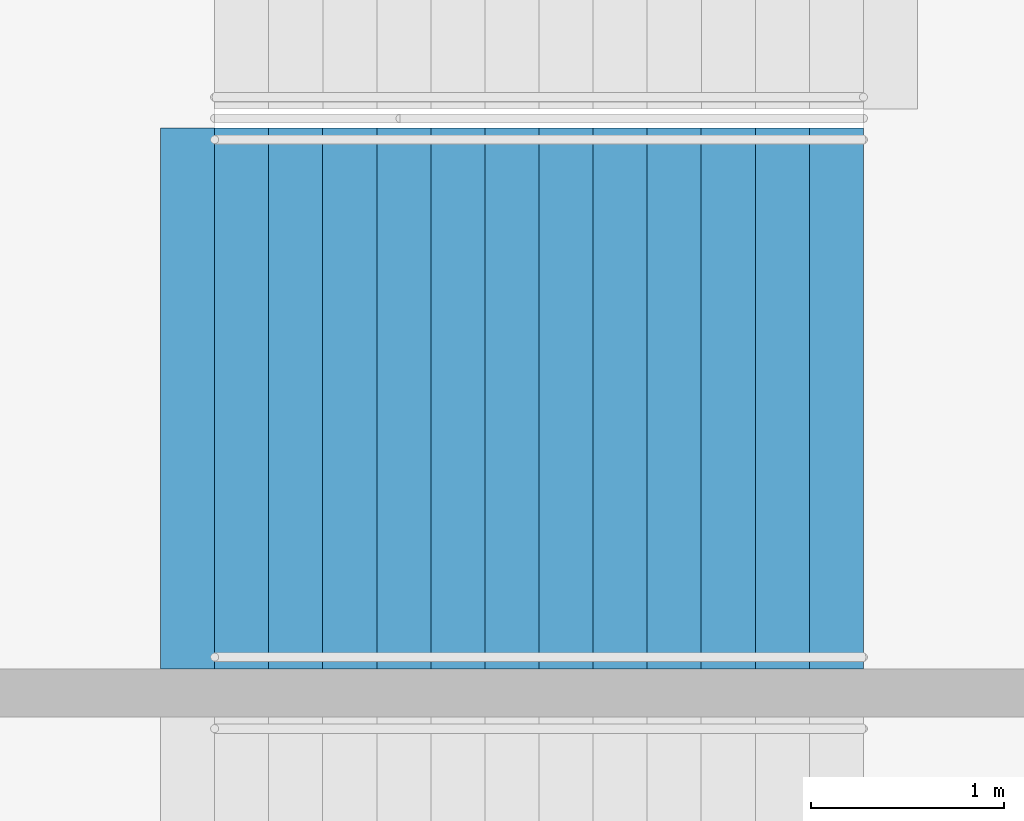
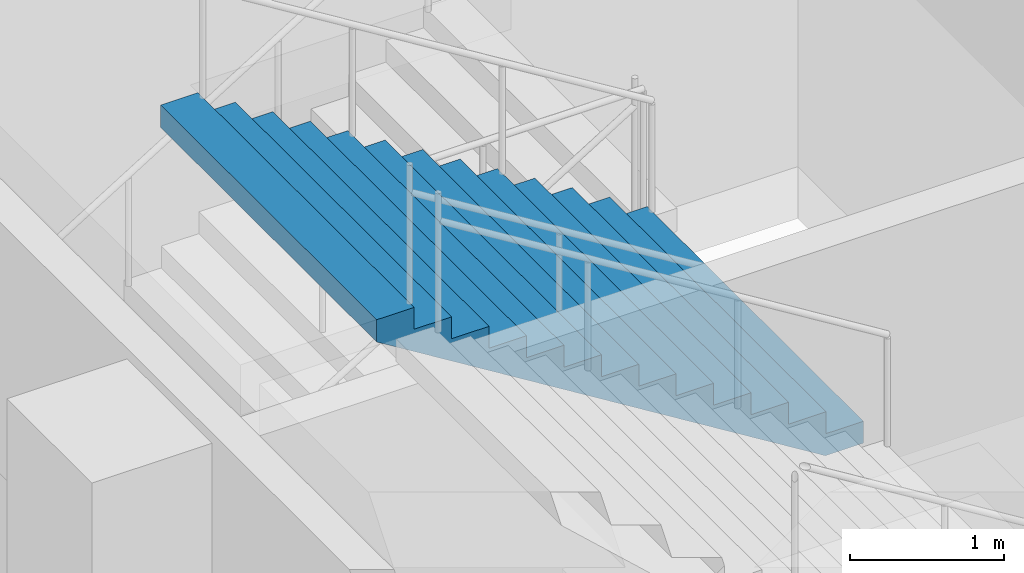
# One storey, part 144 of 199: 1 stair flight, 1 element without a shape of its own.
"""IFC4 building model written with IfcOpenShell, lengths in metres."""

from ifc_helpers import new_model, si_unit, direction, frame, origin, place, context, subcontext, project, spatial, faceted_brep, material, type_object, element, aggregate, save


model = new_model("IFC4")

# Units and contexts
model_context = context("Model", 3, precision=1e-05, world=origin(), true_north=direction((0.0, 1.0)))
body_context = subcontext(model_context, "Body", "Model", "MODEL_VIEW")
ifc_project = project(units=[si_unit("LENGTHUNIT", "METRE"), si_unit("AREAUNIT", "SQUARE_METRE"), si_unit("VOLUMEUNIT", "CUBIC_METRE"), si_unit("PLANEANGLEUNIT", "RADIAN"), si_unit("MASSUNIT", "GRAM", prefix="KILO")], contexts=[model_context])

# Site, building, storey
site_placement = place(None, origin())
site = spatial("IfcSite", under=ifc_project, at=site_placement, CompositionType="ELEMENT")
building_placement = place(site_placement, origin())
building = spatial("IfcBuilding", under=site, at=building_placement, Name="Ogive Plaza Stadium", CompositionType="ELEMENT")
storey_placement = place(building_placement, frame((0.0, 0.0, 9.0)))
storey = spatial("IfcBuildingStorey", under=building, at=storey_placement, Name="L02", CompositionType="ELEMENT", Elevation=9.0)

# Stair, stair flight
ifc_material_1 = material(Name="Concrete C40/50", Category="concrete")
stair_type = type_object("IfcStairType", Name="Exit stair", PredefinedType="STRAIGHT_RUN_STAIR", material=ifc_material_1)
stair_placement = place(storey_placement, origin())
stair = element("IfcStair", 1, at=stair_placement, inside=storey, type_object=stair_type, Name="Exit stair ST06B L02 to L03", PredefinedType="STRAIGHT_RUN_STAIR")
ifc_material_2 = material(Name="Concrete C40/50", Category="concrete")
stair_flight_type = type_object("IfcStairFlightType", Name="Exit stair flight", PredefinedType="STRAIGHT", material=ifc_material_2)
stair_flight_placement = place(storey_placement, frame((79.7099609375, -20.97509765625, 2.25), z_axis=(0.0, 0.0, 1.0), x_axis=(-1.0, 0.0, 0.0)))
stair_flight = element("IfcStairFlight", 2, at=stair_flight_placement, type_object=stair_flight_type, Name="ST06B flight 2", NumberOfRisers=13, NumberOfTreads=12, PredefinedType="STRAIGHT", RiserHeight=0.173076923, TreadLength=0.28, context=body_context, shape_type="Brep", body=[
    faceted_brep([(0.28515625, -1.39990234375, 0.0), (3.639892578125, -1.39990234375, 2.07373046875), (3.639892578125, -1.39990234375, 2.25), (3.360107421875, -1.39990234375, 2.25), (3.360107421875, -1.39990234375, 2.076904296875), (3.080078125, -1.39990234375, 2.076904296875), (3.080078125, -1.39990234375, 1.90380859375), (2.800048828125, -1.39990234375, 1.90380859375), (2.800048828125, -1.39990234375, 1.730712890625), (2.52001953125, -1.39990234375, 1.730712890625), (2.52001953125, -1.39990234375, 1.5576171875), (2.239990234375, -1.39990234375, 1.5576171875), (2.239990234375, -1.39990234375, 1.384521484375), (1.9599609375, -1.39990234375, 1.384521484375), (1.9599609375, -1.39990234375, 1.21142578125), (1.679931640625, -1.39990234375, 1.21142578125), (1.679931640625, -1.39990234375, 1.03857421875), (1.39990234375, -1.39990234375, 1.03857421875), (1.39990234375, -1.39990234375, 0.865478515625), (1.1201171875, -1.39990234375, 0.865478515625), (1.1201171875, -1.39990234375, 0.6923828125), (0.840087890625, -1.39990234375, 0.6923828125), (0.840087890625, -1.39990234375, 0.519287109375), (0.56005859375, -1.39990234375, 0.519287109375), (0.56005859375, -1.39990234375, 0.34619140625), (0.280029296875, -1.39990234375, 0.34619140625), (0.280029296875, -1.39990234375, 0.173095703125), (0.0, -1.39990234375, 0.173095703125), (0.0, -1.39990234375, 0.0), (0.0, 1.39990234375, 0.0), (0.0, 1.39990234375, 0.173095703125), (0.280029296875, 1.39990234375, 0.173095703125), (0.280029296875, 1.39990234375, 0.34619140625), (0.56005859375, 1.39990234375, 0.34619140625), (0.56005859375, 1.39990234375, 0.519287109375), (0.840087890625, 1.39990234375, 0.519287109375), (0.840087890625, 1.39990234375, 0.6923828125), (1.1201171875, 1.39990234375, 0.6923828125), (1.1201171875, 1.39990234375, 0.865478515625), (1.39990234375, 1.39990234375, 0.865478515625), (1.39990234375, 1.39990234375, 1.03857421875), (1.679931640625, 1.39990234375, 1.03857421875), (1.679931640625, 1.39990234375, 1.21142578125), (1.9599609375, 1.39990234375, 1.21142578125), (1.9599609375, 1.39990234375, 1.384521484375), (2.239990234375, 1.39990234375, 1.384521484375), (2.239990234375, 1.39990234375, 1.5576171875), (2.52001953125, 1.39990234375, 1.5576171875), (2.52001953125, 1.39990234375, 1.730712890625), (2.800048828125, 1.39990234375, 1.730712890625), (2.800048828125, 1.39990234375, 1.90380859375), (3.080078125, 1.39990234375, 1.90380859375), (3.080078125, 1.39990234375, 2.076904296875), (3.360107421875, 1.39990234375, 2.076904296875), (3.360107421875, 1.39990234375, 2.25), (3.639892578125, 1.39990234375, 2.25), (3.639892578125, 1.39990234375, 2.07373046875), (0.28515625, 1.39990234375, 0.0), (0.28515625, -1.0888671875, 0.0), (3.639892578125, -1.0888671875, 2.07373046875), (0.28515625, -0.77783203125, 0.0), (3.639892578125, -0.77783203125, 2.07373046875), (0.28515625, -0.466796875, 0.0), (3.639892578125, -0.466796875, 2.07373046875), (0.28515625, -0.155517578125, 0.0), (3.639892578125, -0.155517578125, 2.07373046875), (0.28515625, 0.155517578125, 0.0), (3.639892578125, 0.155517578125, 2.07373046875), (0.28515625, 0.466796875, 0.0), (3.639892578125, 0.466796875, 2.07373046875), (0.28515625, 0.77783203125, 0.0), (3.639892578125, 0.77783203125, 2.07373046875), (0.28515625, 1.0888671875, 0.0), (3.639892578125, 1.0888671875, 2.07373046875), (3.639892578125, -1.0888671875, 2.25), (3.639892578125, -0.77783203125, 2.25), (3.639892578125, -0.466796875, 2.25), (3.639892578125, -0.155517578125, 2.25), (3.639892578125, 0.155517578125, 2.25), (3.639892578125, 0.466796875, 2.25), (3.639892578125, 0.77783203125, 2.25), (3.639892578125, 1.0888671875, 2.25), (3.360107421875, -1.0888671875, 2.25), (3.360107421875, -0.77783203125, 2.25), (3.360107421875, -0.466796875, 2.25), (3.360107421875, -0.155517578125, 2.25), (3.360107421875, 0.155517578125, 2.25), (3.360107421875, 0.466796875, 2.25), (3.360107421875, 0.77783203125, 2.25), (3.360107421875, 1.0888671875, 2.25), (3.360107421875, -1.0888671875, 2.076904296875), (3.360107421875, -0.77783203125, 2.076904296875), (3.360107421875, -0.466796875, 2.076904296875), (3.360107421875, -0.155517578125, 2.076904296875), (3.360107421875, 0.155517578125, 2.076904296875), (3.360107421875, 0.466796875, 2.076904296875), (3.360107421875, 0.77783203125, 2.076904296875), (3.360107421875, 1.0888671875, 2.076904296875), (3.080078125, -1.0888671875, 2.076904296875), (3.080078125, -0.77783203125, 2.076904296875), (3.080078125, -0.466796875, 2.076904296875), (3.080078125, -0.155517578125, 2.076904296875), (3.080078125, 0.155517578125, 2.076904296875), (3.080078125, 0.466796875, 2.076904296875), (3.080078125, 0.77783203125, 2.076904296875), (3.080078125, 1.0888671875, 2.076904296875), (3.080078125, -1.0888671875, 1.90380859375), (3.080078125, -0.77783203125, 1.90380859375), (3.080078125, -0.466796875, 1.90380859375), (3.080078125, -0.155517578125, 1.90380859375), (3.080078125, 0.155517578125, 1.90380859375), (3.080078125, 0.466796875, 1.90380859375), (3.080078125, 0.77783203125, 1.90380859375), (3.080078125, 1.0888671875, 1.90380859375), (2.800048828125, -1.0888671875, 1.90380859375), (2.800048828125, -0.77783203125, 1.90380859375), (2.800048828125, -0.466796875, 1.90380859375), (2.800048828125, -0.155517578125, 1.90380859375), (2.800048828125, 0.155517578125, 1.90380859375), (2.800048828125, 0.466796875, 1.90380859375), (2.800048828125, 0.77783203125, 1.90380859375), (2.800048828125, 1.0888671875, 1.90380859375), (2.800048828125, -1.0888671875, 1.730712890625), (2.800048828125, -0.77783203125, 1.730712890625), (2.800048828125, -0.466796875, 1.730712890625), (2.800048828125, -0.155517578125, 1.730712890625), (2.800048828125, 0.155517578125, 1.730712890625), (2.800048828125, 0.466796875, 1.730712890625), (2.800048828125, 0.77783203125, 1.730712890625), (2.800048828125, 1.0888671875, 1.730712890625), (2.52001953125, -1.0888671875, 1.730712890625), (2.52001953125, -0.77783203125, 1.730712890625), (2.52001953125, -0.466796875, 1.730712890625), (2.52001953125, -0.155517578125, 1.730712890625), (2.52001953125, 0.155517578125, 1.730712890625), (2.52001953125, 0.466796875, 1.730712890625), (2.52001953125, 0.77783203125, 1.730712890625), (2.52001953125, 1.0888671875, 1.730712890625), (2.52001953125, -1.0888671875, 1.5576171875), (2.52001953125, -0.77783203125, 1.5576171875), (2.52001953125, -0.466796875, 1.5576171875), (2.52001953125, -0.155517578125, 1.5576171875), (2.52001953125, 0.155517578125, 1.5576171875), (2.52001953125, 0.466796875, 1.5576171875), (2.52001953125, 0.77783203125, 1.5576171875), (2.52001953125, 1.0888671875, 1.5576171875), (2.239990234375, -1.0888671875, 1.5576171875), (2.239990234375, -0.77783203125, 1.5576171875), (2.239990234375, -0.466796875, 1.5576171875), (2.239990234375, -0.155517578125, 1.5576171875), (2.239990234375, 0.155517578125, 1.5576171875), (2.239990234375, 0.466796875, 1.5576171875), (2.239990234375, 0.77783203125, 1.5576171875), (2.239990234375, 1.0888671875, 1.5576171875), (2.239990234375, -1.0888671875, 1.384521484375), (2.239990234375, -0.77783203125, 1.384521484375), (2.239990234375, -0.466796875, 1.384521484375), (2.239990234375, -0.155517578125, 1.384521484375), (2.239990234375, 0.155517578125, 1.384521484375), (2.239990234375, 0.466796875, 1.384521484375), (2.239990234375, 0.77783203125, 1.384521484375), (2.239990234375, 1.0888671875, 1.384521484375), (1.9599609375, -1.0888671875, 1.384521484375), (1.9599609375, -0.77783203125, 1.384521484375), (1.9599609375, -0.466796875, 1.384521484375), (1.9599609375, -0.155517578125, 1.384521484375), (1.9599609375, 0.155517578125, 1.384521484375), (1.9599609375, 0.466796875, 1.384521484375), (1.9599609375, 0.77783203125, 1.384521484375), (1.9599609375, 1.0888671875, 1.384521484375), (1.9599609375, -1.0888671875, 1.21142578125), (1.9599609375, -0.77783203125, 1.21142578125), (1.9599609375, -0.466796875, 1.21142578125), (1.9599609375, -0.155517578125, 1.21142578125), (1.9599609375, 0.155517578125, 1.21142578125), (1.9599609375, 0.466796875, 1.21142578125), (1.9599609375, 0.77783203125, 1.21142578125), (1.9599609375, 1.0888671875, 1.21142578125), (1.679931640625, -1.0888671875, 1.21142578125), (1.679931640625, -0.77783203125, 1.21142578125), (1.679931640625, -0.466796875, 1.21142578125), (1.679931640625, -0.155517578125, 1.21142578125), (1.679931640625, 0.155517578125, 1.21142578125), (1.679931640625, 0.466796875, 1.21142578125), (1.679931640625, 0.77783203125, 1.21142578125), (1.679931640625, 1.0888671875, 1.21142578125), (1.679931640625, -1.0888671875, 1.03857421875), (1.679931640625, -0.77783203125, 1.03857421875), (1.679931640625, -0.466796875, 1.03857421875), (1.679931640625, -0.155517578125, 1.03857421875), (1.679931640625, 0.155517578125, 1.03857421875), (1.679931640625, 0.466796875, 1.03857421875), (1.679931640625, 0.77783203125, 1.03857421875), (1.679931640625, 1.0888671875, 1.03857421875), (1.39990234375, -1.0888671875, 1.03857421875), (1.39990234375, -0.77783203125, 1.03857421875), (1.39990234375, -0.466796875, 1.03857421875), (1.39990234375, -0.155517578125, 1.03857421875), (1.39990234375, 0.155517578125, 1.03857421875), (1.39990234375, 0.466796875, 1.03857421875), (1.39990234375, 0.77783203125, 1.03857421875), (1.39990234375, 1.0888671875, 1.03857421875), (1.39990234375, -1.0888671875, 0.865478515625), (1.39990234375, -0.77783203125, 0.865478515625), (1.39990234375, -0.466796875, 0.865478515625), (1.39990234375, -0.155517578125, 0.865478515625), (1.39990234375, 0.155517578125, 0.865478515625), (1.39990234375, 0.466796875, 0.865478515625), (1.39990234375, 0.77783203125, 0.865478515625), (1.39990234375, 1.0888671875, 0.865478515625), (1.1201171875, -1.0888671875, 0.865478515625), (1.1201171875, -0.77783203125, 0.865478515625), (1.1201171875, -0.466796875, 0.865478515625), (1.1201171875, -0.155517578125, 0.865478515625), (1.1201171875, 0.155517578125, 0.865478515625), (1.1201171875, 0.466796875, 0.865478515625), (1.1201171875, 0.77783203125, 0.865478515625), (1.1201171875, 1.0888671875, 0.865478515625), (1.1201171875, -1.0888671875, 0.6923828125), (1.1201171875, -0.77783203125, 0.6923828125), (1.1201171875, -0.466796875, 0.6923828125), (1.1201171875, -0.155517578125, 0.6923828125), (1.1201171875, 0.155517578125, 0.6923828125), (1.1201171875, 0.466796875, 0.6923828125), (1.1201171875, 0.77783203125, 0.6923828125), (1.1201171875, 1.0888671875, 0.6923828125), (0.840087890625, -1.0888671875, 0.6923828125), (0.840087890625, -0.77783203125, 0.6923828125), (0.840087890625, -0.466796875, 0.6923828125), (0.840087890625, -0.155517578125, 0.6923828125), (0.840087890625, 0.155517578125, 0.6923828125), (0.840087890625, 0.466796875, 0.6923828125), (0.840087890625, 0.77783203125, 0.6923828125), (0.840087890625, 1.0888671875, 0.6923828125), (0.840087890625, -1.0888671875, 0.519287109375), (0.840087890625, -0.77783203125, 0.519287109375), (0.840087890625, -0.466796875, 0.519287109375), (0.840087890625, -0.155517578125, 0.519287109375), (0.840087890625, 0.155517578125, 0.519287109375), (0.840087890625, 0.466796875, 0.519287109375), (0.840087890625, 0.77783203125, 0.519287109375), (0.840087890625, 1.0888671875, 0.519287109375), (0.56005859375, -1.0888671875, 0.519287109375), (0.56005859375, -0.77783203125, 0.519287109375), (0.56005859375, -0.466796875, 0.519287109375), (0.56005859375, -0.155517578125, 0.519287109375), (0.56005859375, 0.155517578125, 0.519287109375), (0.56005859375, 0.466796875, 0.519287109375), (0.56005859375, 0.77783203125, 0.519287109375), (0.56005859375, 1.0888671875, 0.519287109375), (0.56005859375, -1.0888671875, 0.34619140625), (0.56005859375, -0.77783203125, 0.34619140625), (0.56005859375, -0.466796875, 0.34619140625), (0.56005859375, -0.155517578125, 0.34619140625), (0.56005859375, 0.155517578125, 0.34619140625), (0.56005859375, 0.466796875, 0.34619140625), (0.56005859375, 0.77783203125, 0.34619140625), (0.56005859375, 1.0888671875, 0.34619140625), (0.280029296875, -1.0888671875, 0.34619140625), (0.280029296875, -0.77783203125, 0.34619140625), (0.280029296875, -0.466796875, 0.34619140625), (0.280029296875, -0.155517578125, 0.34619140625), (0.280029296875, 0.155517578125, 0.34619140625), (0.280029296875, 0.466796875, 0.34619140625), (0.280029296875, 0.77783203125, 0.34619140625), (0.280029296875, 1.0888671875, 0.34619140625), (0.280029296875, -1.0888671875, 0.173095703125), (0.280029296875, -0.77783203125, 0.173095703125), (0.280029296875, -0.466796875, 0.173095703125), (0.280029296875, -0.155517578125, 0.173095703125), (0.280029296875, 0.155517578125, 0.173095703125), (0.280029296875, 0.466796875, 0.173095703125), (0.280029296875, 0.77783203125, 0.173095703125), (0.280029296875, 1.0888671875, 0.173095703125), (0.0, -1.0888671875, 0.173095703125), (0.0, -0.77783203125, 0.173095703125), (0.0, -0.466796875, 0.173095703125), (0.0, -0.155517578125, 0.173095703125), (0.0, 0.155517578125, 0.173095703125), (0.0, 0.466796875, 0.173095703125), (0.0, 0.77783203125, 0.173095703125), (0.0, 1.0888671875, 0.173095703125), (0.0, -1.0888671875, 0.0), (0.0, -0.77783203125, 0.0), (0.0, -0.466796875, 0.0), (0.0, -0.155517578125, 0.0), (0.0, 0.155517578125, 0.0), (0.0, 0.466796875, 0.0), (0.0, 0.77783203125, 0.0), (0.0, 1.0888671875, 0.0)], [[[0, 1, 2, 3, 4, 5, 6, 7, 8, 9, 10, 11, 12, 13, 14, 15, 16, 17, 18, 19, 20, 21, 22, 23, 24, 25, 26, 27, 28]], [[29, 30, 31, 32, 33, 34, 35, 36, 37, 38, 39, 40, 41, 42, 43, 44, 45, 46, 47, 48, 49, 50, 51, 52, 53, 54, 55, 56, 57]], [[0, 58, 59, 1]], [[58, 60, 61, 59]], [[60, 62, 63, 61]], [[62, 64, 65, 63]], [[64, 66, 67, 65]], [[66, 68, 69, 67]], [[68, 70, 71, 69]], [[70, 72, 73, 71]], [[72, 57, 56, 73]], [[1, 59, 74, 2]], [[59, 61, 75, 74]], [[61, 63, 76, 75]], [[63, 65, 77, 76]], [[65, 67, 78, 77]], [[67, 69, 79, 78]], [[69, 71, 80, 79]], [[71, 73, 81, 80]], [[73, 56, 55, 81]], [[2, 74, 82, 3]], [[74, 75, 83, 82]], [[75, 76, 84, 83]], [[76, 77, 85, 84]], [[77, 78, 86, 85]], [[78, 79, 87, 86]], [[79, 80, 88, 87]], [[80, 81, 89, 88]], [[81, 55, 54, 89]], [[3, 82, 90, 4]], [[82, 83, 91, 90]], [[83, 84, 92, 91]], [[84, 85, 93, 92]], [[85, 86, 94, 93]], [[86, 87, 95, 94]], [[87, 88, 96, 95]], [[88, 89, 97, 96]], [[89, 54, 53, 97]], [[4, 90, 98, 5]], [[90, 91, 99, 98]], [[91, 92, 100, 99]], [[92, 93, 101, 100]], [[93, 94, 102, 101]], [[94, 95, 103, 102]], [[95, 96, 104, 103]], [[96, 97, 105, 104]], [[97, 53, 52, 105]], [[5, 98, 106, 6]], [[98, 99, 107, 106]], [[99, 100, 108, 107]], [[100, 101, 109, 108]], [[101, 102, 110, 109]], [[102, 103, 111, 110]], [[103, 104, 112, 111]], [[104, 105, 113, 112]], [[105, 52, 51, 113]], [[6, 106, 114, 7]], [[106, 107, 115, 114]], [[107, 108, 116, 115]], [[108, 109, 117, 116]], [[109, 110, 118, 117]], [[110, 111, 119, 118]], [[111, 112, 120, 119]], [[112, 113, 121, 120]], [[113, 51, 50, 121]], [[7, 114, 122, 8]], [[114, 115, 123, 122]], [[115, 116, 124, 123]], [[116, 117, 125, 124]], [[117, 118, 126, 125]], [[118, 119, 127, 126]], [[119, 120, 128, 127]], [[120, 121, 129, 128]], [[121, 50, 49, 129]], [[8, 122, 130, 9]], [[122, 123, 131, 130]], [[123, 124, 132, 131]], [[124, 125, 133, 132]], [[125, 126, 134, 133]], [[126, 127, 135, 134]], [[127, 128, 136, 135]], [[128, 129, 137, 136]], [[129, 49, 48, 137]], [[9, 130, 138, 10]], [[130, 131, 139, 138]], [[131, 132, 140, 139]], [[132, 133, 141, 140]], [[133, 134, 142, 141]], [[134, 135, 143, 142]], [[135, 136, 144, 143]], [[136, 137, 145, 144]], [[137, 48, 47, 145]], [[10, 138, 146, 11]], [[138, 139, 147, 146]], [[139, 140, 148, 147]], [[140, 141, 149, 148]], [[141, 142, 150, 149]], [[142, 143, 151, 150]], [[143, 144, 152, 151]], [[144, 145, 153, 152]], [[145, 47, 46, 153]], [[11, 146, 154, 12]], [[146, 147, 155, 154]], [[147, 148, 156, 155]], [[148, 149, 157, 156]], [[149, 150, 158, 157]], [[150, 151, 159, 158]], [[151, 152, 160, 159]], [[152, 153, 161, 160]], [[153, 46, 45, 161]], [[12, 154, 162, 13]], [[154, 155, 163, 162]], [[155, 156, 164, 163]], [[156, 157, 165, 164]], [[157, 158, 166, 165]], [[158, 159, 167, 166]], [[159, 160, 168, 167]], [[160, 161, 169, 168]], [[161, 45, 44, 169]], [[13, 162, 170, 14]], [[162, 163, 171, 170]], [[163, 164, 172, 171]], [[164, 165, 173, 172]], [[165, 166, 174, 173]], [[166, 167, 175, 174]], [[167, 168, 176, 175]], [[168, 169, 177, 176]], [[169, 44, 43, 177]], [[14, 170, 178, 15]], [[170, 171, 179, 178]], [[171, 172, 180, 179]], [[172, 173, 181, 180]], [[173, 174, 182, 181]], [[174, 175, 183, 182]], [[175, 176, 184, 183]], [[176, 177, 185, 184]], [[177, 43, 42, 185]], [[15, 178, 186, 16]], [[178, 179, 187, 186]], [[179, 180, 188, 187]], [[180, 181, 189, 188]], [[181, 182, 190, 189]], [[182, 183, 191, 190]], [[183, 184, 192, 191]], [[184, 185, 193, 192]], [[185, 42, 41, 193]], [[16, 186, 194, 17]], [[186, 187, 195, 194]], [[187, 188, 196, 195]], [[188, 189, 197, 196]], [[189, 190, 198, 197]], [[190, 191, 199, 198]], [[191, 192, 200, 199]], [[192, 193, 201, 200]], [[193, 41, 40, 201]], [[17, 194, 202, 18]], [[194, 195, 203, 202]], [[195, 196, 204, 203]], [[196, 197, 205, 204]], [[197, 198, 206, 205]], [[198, 199, 207, 206]], [[199, 200, 208, 207]], [[200, 201, 209, 208]], [[201, 40, 39, 209]], [[18, 202, 210, 19]], [[202, 203, 211, 210]], [[203, 204, 212, 211]], [[204, 205, 213, 212]], [[205, 206, 214, 213]], [[206, 207, 215, 214]], [[207, 208, 216, 215]], [[208, 209, 217, 216]], [[209, 39, 38, 217]], [[19, 210, 218, 20]], [[210, 211, 219, 218]], [[211, 212, 220, 219]], [[212, 213, 221, 220]], [[213, 214, 222, 221]], [[214, 215, 223, 222]], [[215, 216, 224, 223]], [[216, 217, 225, 224]], [[217, 38, 37, 225]], [[20, 218, 226, 21]], [[218, 219, 227, 226]], [[219, 220, 228, 227]], [[220, 221, 229, 228]], [[221, 222, 230, 229]], [[222, 223, 231, 230]], [[223, 224, 232, 231]], [[224, 225, 233, 232]], [[225, 37, 36, 233]], [[21, 226, 234, 22]], [[226, 227, 235, 234]], [[227, 228, 236, 235]], [[228, 229, 237, 236]], [[229, 230, 238, 237]], [[230, 231, 239, 238]], [[231, 232, 240, 239]], [[232, 233, 241, 240]], [[233, 36, 35, 241]], [[22, 234, 242, 23]], [[234, 235, 243, 242]], [[235, 236, 244, 243]], [[236, 237, 245, 244]], [[237, 238, 246, 245]], [[238, 239, 247, 246]], [[239, 240, 248, 247]], [[240, 241, 249, 248]], [[241, 35, 34, 249]], [[23, 242, 250, 24]], [[242, 243, 251, 250]], [[243, 244, 252, 251]], [[244, 245, 253, 252]], [[245, 246, 254, 253]], [[246, 247, 255, 254]], [[247, 248, 256, 255]], [[248, 249, 257, 256]], [[249, 34, 33, 257]], [[24, 250, 258, 25]], [[250, 251, 259, 258]], [[251, 252, 260, 259]], [[252, 253, 261, 260]], [[253, 254, 262, 261]], [[254, 255, 263, 262]], [[255, 256, 264, 263]], [[256, 257, 265, 264]], [[257, 33, 32, 265]], [[25, 258, 266, 26]], [[258, 259, 267, 266]], [[259, 260, 268, 267]], [[260, 261, 269, 268]], [[261, 262, 270, 269]], [[262, 263, 271, 270]], [[263, 264, 272, 271]], [[264, 265, 273, 272]], [[265, 32, 31, 273]], [[26, 266, 274, 27]], [[266, 267, 275, 274]], [[267, 268, 276, 275]], [[268, 269, 277, 276]], [[269, 270, 278, 277]], [[270, 271, 279, 278]], [[271, 272, 280, 279]], [[272, 273, 281, 280]], [[273, 31, 30, 281]], [[27, 274, 282, 28]], [[274, 275, 283, 282]], [[275, 276, 284, 283]], [[276, 277, 285, 284]], [[277, 278, 286, 285]], [[278, 279, 287, 286]], [[279, 280, 288, 287]], [[280, 281, 289, 288]], [[281, 30, 29, 289]], [[28, 282, 58, 0]], [[282, 283, 60, 58]], [[283, 284, 62, 60]], [[284, 285, 64, 62]], [[285, 286, 66, 64]], [[286, 287, 68, 66]], [[287, 288, 70, 68]], [[288, 289, 72, 70]], [[289, 29, 57, 72]]]),
])
aggregate(stair, [stair_flight])

save(model, "model.ifc")
